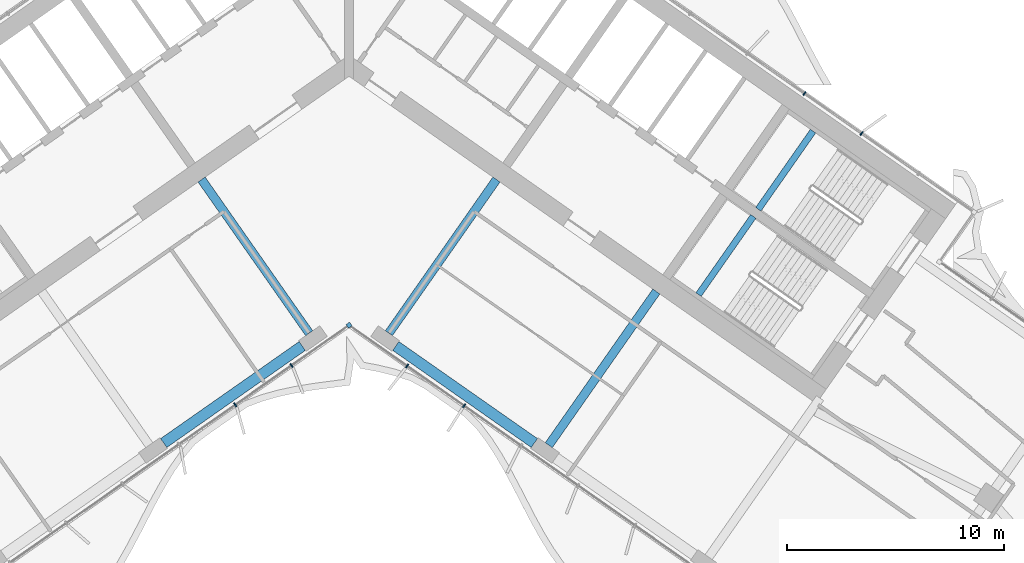
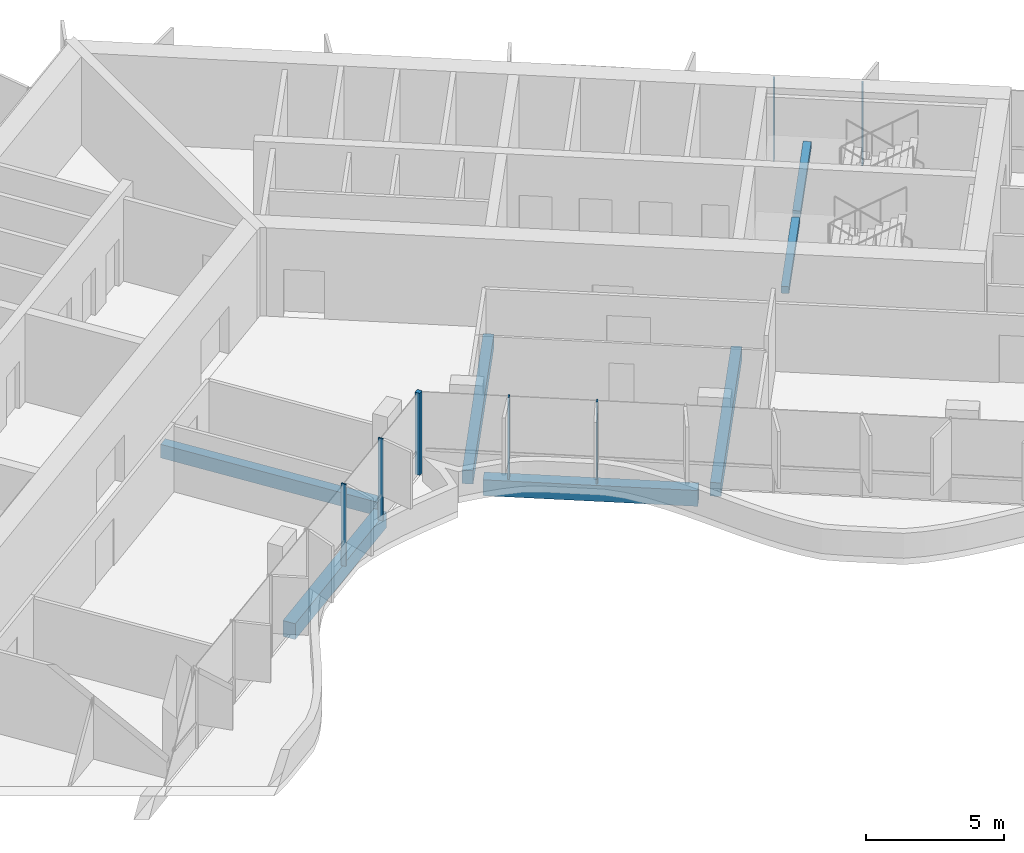
# One storey, part 6 of 21: 7 beams, 7 members, 2 elements without a shape of their own.
"""IFC4 building model written with IfcOpenShell, lengths in metres."""

from ifc_helpers import new_model, si_unit, direction, frame, origin, origin_2d, place, context, subcontext, project, spatial, rectangle, extrude, material, material_profile, profile_set, type_object, element, aggregate, save


model = new_model("IFC4")

# Units and contexts
model_context = context("Model", 3, precision=1e-05, world=origin(), true_north=direction((0.0, 1.0)))
body_context = subcontext(model_context, "Body", "Model", "MODEL_VIEW")
ifc_project = project(units=[si_unit("LENGTHUNIT", "METRE"), si_unit("AREAUNIT", "SQUARE_METRE"), si_unit("VOLUMEUNIT", "CUBIC_METRE"), si_unit("PLANEANGLEUNIT", "RADIAN"), si_unit("MASSUNIT", "GRAM", prefix="KILO")], contexts=[model_context])

# Site, building, storey
site_placement = place(None, origin())
site = spatial("IfcSite", under=ifc_project, at=site_placement, CompositionType="ELEMENT")
building_placement = place(site_placement, origin())
building = spatial("IfcBuilding", under=site, at=building_placement, Name="Tel Ilan Convention Tower", CompositionType="ELEMENT")
storey_placement = place(building_placement, frame((0.0, 0.0, 155.39990234375)))
storey = spatial("IfcBuildingStorey", under=building, at=storey_placement, Name="L35", CompositionType="ELEMENT", Elevation=155.39990234375)

# Beams
ifc_material_1 = material(Name="Concrete C40/50", Category="concrete")
ifc_material_profile_1 = material_profile(ifc_material_1, rectangle(XDim=0.39990234375, YDim=0.60009765625, at=origin_2d()), Name="RC 400x600")
ifc_profile_set_1 = profile_set([ifc_material_profile_1], Name="Concrete C40/50")
beam_type_1 = type_object("IfcBeamType", Name="Beam RC 400x600 Concrete C40/50", PredefinedType="BEAM", material=ifc_profile_set_1)
for number, where, z_axis, x_axis, name in (
    (1, (-1.83740234375, -13.06689453125, -0.579833984375), (-0.573574099654, 0.819153680457, 0.0), (-0.819153680457, -0.573574099654, 0.0), "L35 beam W-W-F1-core"),
    (2, (1.83740234375, -13.06689453125, -0.579833984375), (0.573574099654, 0.819153680457, 0.0), (-0.819153680457, 0.573574099654, 0.0), "L35 beam E-E-F1-core"),
    (3, (9.209716796875, -18.229248046875, -0.579833984375), (0.573574099654, 0.819153680457, 0.0), (-0.819153680457, 0.573574099654, 0.0), "L35 beam E-E-F2-core"),
):
    element("IfcBeam", number, at=place(storey_placement, frame(where, z_axis=z_axis, x_axis=x_axis)), inside=storey, type_object=beam_type_1, Name=name, PredefinedType="BEAM", context=body_context, shape_type="SweptSolid", body=[
        extrude(rectangle(XDim=0.39990234375, YDim=0.60009765625, at=origin_2d()), origin(), (0.0, 0.0, 1.0), 8.64990234375),
    ])
ifc_material_2 = material(Name="Concrete C40/50", Category="concrete")
ifc_material_profile_2 = material_profile(ifc_material_2, rectangle(XDim=0.5, YDim=0.699951171875, at=origin_2d()), Name="RC 500x700")
ifc_profile_set_2 = profile_set([ifc_material_profile_2], Name="Concrete C40/50")
beam_type_2 = type_object("IfcBeamType", Name="Beam RC 500x700 Concrete C40/50", PredefinedType="BEAM", material=ifc_profile_set_2)
for number, where, z_axis, x_axis, name in (
    (4, (-2.15673828125, -13.656982421875, -0.6298828125), (-0.819153977895, -0.573573674866, 0.0), (0.573573674866, -0.819153977895, 0.0), "L35 beam W-W-F1-W-F2"),
    (5, (2.15673828125, -13.656982421875, -0.6298828125), (0.819153977895, -0.573573674866, 0.0), (0.573573674866, 0.819153977895, 0.0), "L35 beam E-E-F1-E-F2"),
):
    element("IfcBeam", number, at=place(storey_placement, frame(where, z_axis=z_axis, x_axis=x_axis)), inside=storey, type_object=beam_type_2, Name=name, PredefinedType="BEAM", context=body_context, shape_type="SweptSolid", body=[
        extrude(rectangle(XDim=0.5, YDim=0.699951171875, at=origin_2d()), origin(), (0.0, 0.0, 1.0), 7.800048828125),
    ])

# Curtain wall, member
ifc_material_3 = material(Name="Aluminium, bronze anodised", Category="aluminium")
curtain_wall_type_1 = type_object("IfcCurtainWallType", Name="CW4 STICK CURTAIN WALL, OFFICE TINTED GLASS", PredefinedType="NOTDEFINED", material=ifc_material_3)
curtain_wall_1_placement = place(storey_placement, origin())
curtain_wall_1 = element("IfcCurtainWall", 6, at=curtain_wall_1_placement, inside=storey, type_object=curtain_wall_type_1, Name="Curtain wall CW4-27.02", PredefinedType="NOTDEFINED")
ifc_material_4 = material(Name="Aluminium, bronze anodised", Category="aluminium")
ifc_material_profile_3 = material_profile(ifc_material_4, rectangle(XDim=0.199951171875, YDim=0.199951171875, at=origin_2d()), Name="CW CORNER MULLION 200x200")
ifc_profile_set_3 = profile_set([ifc_material_profile_3], Name="Aluminium, bronze anodised")
member_type_1 = type_object("IfcMemberType", Name="CW CORNER MULLION 200x200", PredefinedType="MULLION", material=ifc_profile_set_3)
member_1_placement = place(storey_placement, frame((0.0, -12.696044921875, 0.0), z_axis=(0.0, 0.0, 1.0), x_axis=(0.819152044289, 0.573576436351, 0.0)))
member_1 = element("IfcMember", 7, at=member_1_placement, type_object=member_type_1, Name="Corner mullion", PredefinedType="MULLION", context=body_context, shape_type="SweptSolid", body=[
    extrude(rectangle(XDim=0.199951171875, YDim=0.199951171875, at=origin_2d()), origin(), (0.0, 0.0, 1.0), 3.6201171875),
])

# Curtain wall, members
ifc_material_5 = material(Name="Aluminium, bronze anodised", Category="aluminium")
curtain_wall_type_2 = type_object("IfcCurtainWallType", Name="CW2 STICK CURTAIN WALL, SPANDREL PANELS", PredefinedType="NOTDEFINED", material=ifc_material_5)
curtain_wall_2_placement = place(storey_placement, origin())
curtain_wall_2 = element("IfcCurtainWall", 8, at=curtain_wall_2_placement, inside=storey, type_object=curtain_wall_type_2, Name="Curtain wall CW2-27.01", PredefinedType="NOTDEFINED")
ifc_material_6 = material(Name="Aluminium, bronze anodised", Category="aluminium")
ifc_material_profile_4 = material_profile(ifc_material_6, rectangle(XDim=0.06005859375, YDim=0.199951171875, at=origin_2d()), Name="CW MULLION 60x200")
ifc_profile_set_4 = profile_set([ifc_material_profile_4], Name="Aluminium, bronze anodised")
member_type_2 = type_object("IfcMemberType", Name="CW MULLION 60x200", PredefinedType="MULLION", material=ifc_profile_set_4)
member_2_placement = place(storey_placement, frame((23.63623046875, -3.854248046875, 0.0), z_axis=(0.0, 0.0, 1.0), x_axis=(-0.819152044289, 0.573576436351, 0.0)))
member_2 = element("IfcMember", 9, at=member_2_placement, type_object=member_type_2, Name="Mullion", PredefinedType="MULLION", context=body_context, shape_type="SweptSolid", body=[
    extrude(rectangle(XDim=0.06005859375, YDim=0.199951171875, at=origin_2d()), origin(), (0.0, 0.0, 1.0), 3.6201171875),
])
member_3_placement = place(storey_placement, frame((21.003662109375, -2.0107421875, 0.0), z_axis=(0.0, 0.0, 1.0), x_axis=(-0.819152044289, 0.573576436351, 0.0)))
member_3 = element("IfcMember", 10, at=member_3_placement, type_object=member_type_2, Name="Mullion", PredefinedType="MULLION", context=body_context, shape_type="SweptSolid", body=[
    extrude(rectangle(XDim=0.06005859375, YDim=0.199951171875, at=origin_2d()), origin(), (0.0, 0.0, 1.0), 3.6201171875),
])
aggregate(curtain_wall_2, [member_2, member_3])

# Member
member_4_placement = place(storey_placement, frame((-5.24755859375, -16.370361328125, 0.0), z_axis=(0.0, 0.0, 1.0), x_axis=(0.819152044289, 0.573576436351, 0.0)))
member_4 = element("IfcMember", 11, at=member_4_placement, type_object=member_type_2, Name="Mullion", PredefinedType="MULLION", context=body_context, shape_type="SweptSolid", body=[
    extrude(rectangle(XDim=0.06005859375, YDim=0.199951171875, at=origin_2d()), origin(), (0.0, 0.0, 1.0), 3.6201171875),
])

member_5_placement = place(storey_placement, frame((-2.65234375, -14.55322265625, 0.0), z_axis=(0.0, 0.0, 1.0), x_axis=(0.819152044289, 0.573576436351, 0.0)))
member_5 = element("IfcMember", 12, at=member_5_placement, type_object=member_type_2, Name="Mullion", PredefinedType="MULLION", context=body_context, shape_type="SweptSolid", body=[
    extrude(rectangle(XDim=0.06005859375, YDim=0.199951171875, at=origin_2d()), origin(), (0.0, 0.0, 1.0), 3.6201171875),
])

member_6_placement = place(storey_placement, frame((2.6826171875, -14.574462890625, 0.0), z_axis=(0.0, 0.0, 1.0), x_axis=(0.819152044289, -0.573576436351, 0.0)))
member_6 = element("IfcMember", 13, at=member_6_placement, type_object=member_type_2, Name="Mullion", PredefinedType="MULLION", context=body_context, shape_type="SweptSolid", body=[
    extrude(rectangle(XDim=0.06005859375, YDim=0.199951171875, at=origin_2d()), origin(), (0.0, 0.0, 1.0), 3.6201171875),
])

member_7_placement = place(storey_placement, frame((5.307861328125, -16.41259765625, 0.0), z_axis=(0.0, 0.0, 1.0), x_axis=(0.819152044289, -0.573576436351, 0.0)))
member_7 = element("IfcMember", 14, at=member_7_placement, type_object=member_type_2, Name="Mullion", PredefinedType="MULLION", context=body_context, shape_type="SweptSolid", body=[
    extrude(rectangle(XDim=0.06005859375, YDim=0.199951171875, at=origin_2d()), origin(), (0.0, 0.0, 1.0), 3.6201171875),
])

aggregate(curtain_wall_1, [member_4, member_5, member_1, member_6, member_7])

# Beams
ifc_material_7 = material(Name="Concrete C40/50", Category="concrete")
ifc_material_profile_5 = material_profile(ifc_material_7, rectangle(XDim=0.300048828125, YDim=0.300048828125, at=origin_2d()), Name="RC 300x300")
ifc_profile_set_5 = profile_set([ifc_material_profile_5], Name="Concrete C40/50")
beam_type_3 = type_object("IfcBeamType", Name="Landing Beam RC 300x300 Concrete C40/50", PredefinedType="BEAM", material=ifc_profile_set_5)
beam_1_placement = place(storey_placement, frame((21.39404296875, -3.7490234375, 1.60009765625), z_axis=(-0.57354426506, -0.819174569928, 0.0), x_axis=(0.819174569928, -0.57354426506, 0.0)))
element("IfcBeam", 15, at=beam_1_placement, inside=storey, type_object=beam_type_3, Name="S3 landing beam L35.1", PredefinedType="BEAM", context=body_context, shape_type="SweptSolid", body=[
    extrude(rectangle(XDim=0.300048828125, YDim=0.300048828125, at=origin_2d()), origin(), (0.0, 0.0, 1.0), 4.400146484375),
])
beam_2_placement = place(storey_placement, frame((18.640869140625, -7.68115234375, 1.60009765625), z_axis=(-0.573570334442, -0.819156316858, 0.0), x_axis=(0.819156316858, -0.573570334442, 0.0)))
element("IfcBeam", 16, at=beam_2_placement, inside=storey, type_object=beam_type_3, Name="S4 landing beam L35.1", PredefinedType="BEAM", context=body_context, shape_type="SweptSolid", body=[
    extrude(rectangle(XDim=0.300048828125, YDim=0.300048828125, at=origin_2d()), origin(), (0.0, 0.0, 1.0), 4.39990234375),
])

save(model, "model.ifc")
